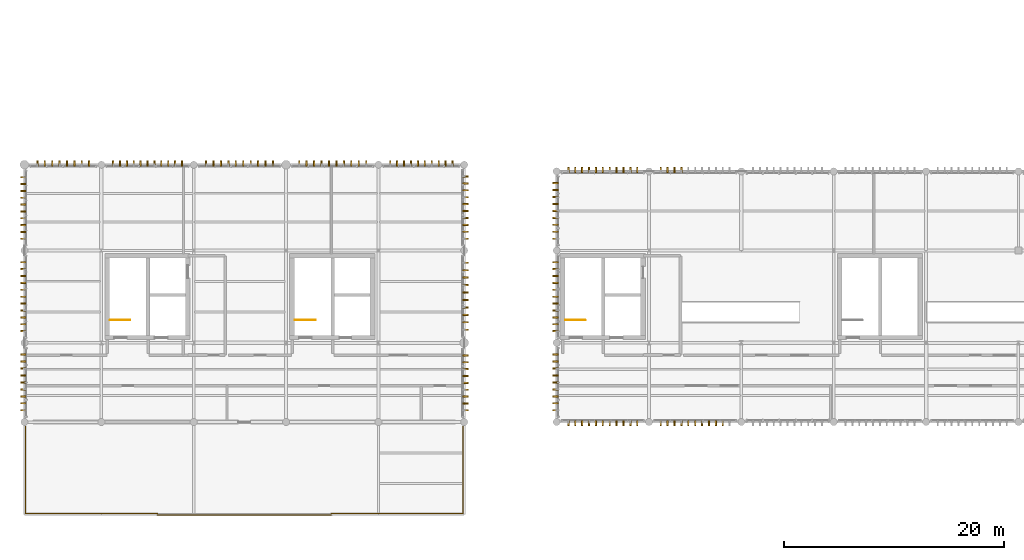
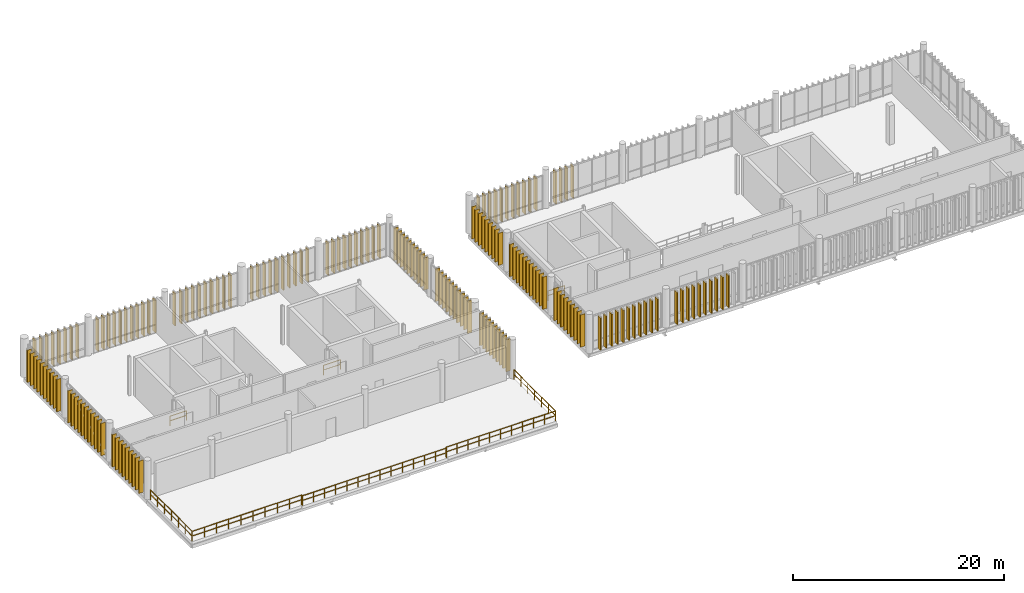
# One storey, part 62 of 66: 173 coverings, 8 railings.
"""IFC4 building model written with IfcOpenShell, lengths in metres."""

import ifcopenshell
import ifcopenshell.guid

model = None  # the IFC model being written
_history = None  # IfcOwnerHistory: only IFC2X3 demands one
_inside = {}  # id of a spatial element -> (the spatial element, [elements in it])
_under = {}  # id of a project, library or spatial element -> (it, [spatial elements below it])
_declared = {}  # id of a project -> (the project, [libraries it declares])
_typed = {}  # id of a type object -> (the type object, [elements of that type])
_made_of = {}  # id of a material, layer set ... -> (it, [elements and type objects made of it])


def new_model(schema):
    """Start an empty IFC model of exactly this schema.

    Asked for "IFC4X3", IfcOpenShell would pick the latest addendum, in which some entities
    have other attributes; the version numbers below select the first issue.
    IFC2X3 requires an IfcOwnerHistory on every rooted entity: one is made here for all.
    """
    global model, _history
    if schema == "IFC4X3":
        model = ifcopenshell.file(schema_version=(4, 3, 0, 0))
    else:
        model = ifcopenshell.file(schema=schema)
    _inside.clear()
    _under.clear()
    _declared.clear()
    _typed.clear()
    _made_of.clear()
    _history = None
    if model.schema == "IFC2X3":
        org = make("IfcOrganization", Name="unknown")
        user = make(
            "IfcPersonAndOrganization",
            ThePerson=make("IfcPerson", FamilyName="unknown"),
            TheOrganization=org,
        )
        app = make(
            "IfcApplication",
            ApplicationDeveloper=org,
            Version="unknown",
            ApplicationFullName="unknown",
            ApplicationIdentifier="unknown",
        )
        _history = make(
            "IfcOwnerHistory",
            OwningUser=user,
            OwningApplication=app,
            ChangeAction="ADDED",
            CreationDate=0,
        )
    return model


def make(cls, **values):
    """One entity of the class cls with the attributes given. An attribute that is None is left unset."""
    return model.create_entity(
        cls, **{name: value for name, value in values.items() if value is not None}
    )


def rooted(cls, **values):
    """An entity with a GlobalId (a new one), such as an element, a storey or a relation."""
    return make(cls, GlobalId=ifcopenshell.guid.new(), OwnerHistory=_history, **values)


def si_unit(unit_type, name, prefix=None):
    """IfcSIUnit, for example si_unit("LENGTHUNIT", "METRE", prefix="MILLI")."""
    return make("IfcSIUnit", UnitType=unit_type, Prefix=prefix, Name=name)


def assignment(units):
    """IfcUnitAssignment: the units of a project."""
    return None if units is None else make("IfcUnitAssignment", Units=units)


def point(xyz):
    """IfcCartesianPoint."""
    return None if xyz is None else make("IfcCartesianPoint", Coordinates=xyz)


def direction(xyz):
    """IfcDirection."""
    return None if xyz is None else make("IfcDirection", DirectionRatios=xyz)


def frame(location, z_axis=None, x_axis=None):
    """IfcAxis2Placement3D, a coordinate frame: its origin and axes. An axis left out is left unset."""
    return make(
        "IfcAxis2Placement3D",
        Location=point(location),
        Axis=direction(z_axis),
        RefDirection=direction(x_axis),
    )


def frame_2d(location, x_axis=None):
    """IfcAxis2Placement2D, a coordinate frame in the plane: its origin and x axis."""
    return make(
        "IfcAxis2Placement2D", Location=point(location), RefDirection=direction(x_axis)
    )


def origin_with_axes():
    """The frame at (0, 0, 0) with the z axis (0, 0, 1) and the x axis (1, 0, 0) written out."""
    return frame((0.0, 0.0, 0.0), z_axis=(0.0, 0.0, 1.0), x_axis=(1.0, 0.0, 0.0))


def origin_2d_with_axis():
    """The frame at (0, 0) in the plane with the x axis (1, 0) written out."""
    return frame_2d((0.0, 0.0), x_axis=(1.0, 0.0))


def place(relative_to, where):
    """IfcLocalPlacement: puts the frame where relative to a parent placement (None: the world)."""
    return make(
        "IfcLocalPlacement", PlacementRelTo=relative_to, RelativePlacement=where
    )


def context(
    kind, dimensions, precision=None, world=None, true_north=None, identifier=None
):
    """IfcGeometricRepresentationContext, for example the 3D "Model" context."""
    return make(
        "IfcGeometricRepresentationContext",
        ContextIdentifier=identifier,
        ContextType=kind,
        CoordinateSpaceDimension=dimensions,
        Precision=precision,
        WorldCoordinateSystem=world,
        TrueNorth=true_north,
    )


def subcontext(parent, identifier, kind, view, scale=None):
    """IfcGeometricRepresentationSubContext, for example "Body" below "Model"."""
    return make(
        "IfcGeometricRepresentationSubContext",
        ContextIdentifier=identifier,
        ContextType=kind,
        ParentContext=parent,
        TargetScale=scale,
        TargetView=view,
    )


def project(units=None, contexts=None):
    """IfcProject with its units and contexts."""
    return rooted(
        "IfcProject",
        Name="project",
        RepresentationContexts=contexts,
        UnitsInContext=assignment(units),
    )


def spatial(cls, under=None, at=None, **own):
    """A site, building, storey or space (cls), placed at a placement, below another one or the project."""
    s = rooted(cls, ObjectPlacement=at, **own)
    if under is not None:
        _under.setdefault(under.id(), (under, []))[1].append(s)
    return s


def profile(cls, at=None, kind="AREA", **sizes):
    """A parametric profile (cls). Its sizes go by their IFC names, for example OverallWidth=200.0."""
    return make(cls, ProfileType=kind, Position=at, **sizes)


def rectangle(**sizes):
    """IfcRectangleProfileDef."""
    return profile("IfcRectangleProfileDef", **sizes)


def circle(**sizes):
    """IfcCircleProfileDef."""
    return profile("IfcCircleProfileDef", **sizes)


def extrude(swept, where, along, depth):
    """IfcExtrudedAreaSolid: the profile swept, set in the frame where, extruded along a direction by depth."""
    return make(
        "IfcExtrudedAreaSolid",
        SweptArea=swept,
        Position=where,
        ExtrudedDirection=direction(along),
        Depth=depth,
    )


def shape(context_of_items, identifier, shape_type, items):
    """IfcShapeRepresentation: the items that make up one representation, for example the "Body"."""
    return make(
        "IfcShapeRepresentation",
        ContextOfItems=context_of_items,
        RepresentationIdentifier=identifier,
        RepresentationType=shape_type,
        Items=items,
    )


def material(Name=None, Category=None):
    """IfcMaterial."""
    return make("IfcMaterial", Name=Name, Category=Category)


def made_of(thing, what):
    """Note that an element or type object is made of a material, layer set ...; save() writes the relation."""
    if what is not None:
        _made_of.setdefault(what.id(), (what, []))[1].append(thing)
    return thing


def type_object(cls, material=None, **own):
    """A type object (cls), such as IfcWallType, which elements share."""
    return made_of(rooted(cls, **own), material)


def element(
    cls,
    number,
    at=None,
    inside=None,
    cuts=None,
    type_object=None,
    material=None,
    context=None,
    identifier="Body",
    shape_type=None,
    held_by="IfcProductDefinitionShape",
    body=None,
    shapes=None,
    **own,
):
    """One element of the class cls, such as IfcWall. Its Tag is "e" and its number.

    at: its placement. inside: the storey or other place that contains it. cuts: it is an
    opening in that element (IfcRelVoidsElement). A single representation is given by context,
    identifier, shape_type and body (its items); several are given by shapes. held_by: the class
    of the entity that holds the representations. save() writes the other relations.
    """
    e = rooted(cls, Tag="e%d" % number, ObjectPlacement=at, **own)
    if body is not None:
        shapes = [shape(context, identifier, shape_type, body)]
    if shapes is not None:
        e.Representation = make(held_by, Representations=shapes)
    if inside is not None:
        _inside.setdefault(inside.id(), (inside, []))[1].append(e)
    if cuts is not None:
        rooted(
            "IfcRelVoidsElement", RelatingBuildingElement=cuts, RelatedOpeningElement=e
        )
    if type_object is not None:
        _typed.setdefault(type_object.id(), (type_object, []))[1].append(e)
    return made_of(e, material)


def aggregate(whole, parts):
    """IfcRelAggregates: a whole, such as a stair, and the parts it consists of."""
    return rooted("IfcRelAggregates", RelatingObject=whole, RelatedObjects=parts)


def save(model, path):
    """Write the relations noted so far, then the file.

    IfcRelAggregates (storeys below a building ...), IfcRelContainedInSpatialStructure (elements
    in a storey), IfcRelDefinesByType, IfcRelAssociatesMaterial and IfcRelDeclares: one each for
    every whole, place, type object, material and project.
    """
    for whole, parts in _under.values():
        aggregate(whole, parts)
    for where, things in _inside.values():
        rooted(
            "IfcRelContainedInSpatialStructure",
            RelatedElements=things,
            RelatingStructure=where,
        )
    for kind, things in _typed.values():
        rooted("IfcRelDefinesByType", RelatedObjects=things, RelatingType=kind)
    for what, things in _made_of.values():
        rooted("IfcRelAssociatesMaterial", RelatedObjects=things, RelatingMaterial=what)
    for by, libraries in _declared.values():
        rooted("IfcRelDeclares", RelatingContext=by, RelatedDefinitions=libraries)
    model.write(path)


model = new_model("IFC4")

# Units and contexts
model_context = context("Model", 3, precision=1e-05, world=origin_with_axes(), true_north=direction((0.0, 1.0)))
body_context = subcontext(model_context, "Body", "Model", "MODEL_VIEW")
ifc_project = project(units=[si_unit("LENGTHUNIT", "METRE"), si_unit("AREAUNIT", "SQUARE_METRE"), si_unit("VOLUMEUNIT", "CUBIC_METRE"), si_unit("PLANEANGLEUNIT", "RADIAN"), si_unit("MASSUNIT", "GRAM", prefix="KILO"), si_unit("THERMODYNAMICTEMPERATUREUNIT", "KELVIN")], contexts=[model_context])

# Site, building, storey
site_placement = place(None, origin_with_axes())
site = spatial("IfcSite", under=ifc_project, at=site_placement, CompositionType="ELEMENT")
building_placement = place(site_placement, origin_with_axes())
building = spatial("IfcBuilding", under=site, at=building_placement, Name="Montbau Bow Law Courts", CompositionType="ELEMENT")
storey_placement = place(building_placement, frame((0.0, 0.0, 34.5), z_axis=(0.0, 0.0, 1.0), x_axis=(1.0, 0.0, 0.0)))
storey = spatial("IfcBuildingStorey", under=building, at=storey_placement, Name="L07", CompositionType="ELEMENT", Elevation=34.5)

# Coverings
ifc_material_1 = material(Name="Freeze-Thaw Glazed Warm Cream Ceramic Vertical Louvre", Category="masonry")
covering_type_1 = type_object("IfcCoveringType", Name="CV-LVR-CRM", PredefinedType="CLADDING", material=ifc_material_1)
for number, where, z_axis, x_axis, name in (
    (1, (56.267, 39.13, 34.5), (-1.0, 0.0, 0.0), (0.0, -1.0, 0.0), "CLV-L07-2091:cov_2136"),
    (2, (56.893, 39.13, 34.5), (-1.0, 0.0, 0.0), (0.0, -1.0, 0.0), "CLV-L07-2092:cov_2137"),
    (3, (57.52, 39.13, 34.5), (-1.0, 0.0, 0.0), (0.0, -1.0, 0.0), "CLV-L07-2093:cov_2138"),
    (4, (58.147, 39.13, 34.5), (-1.0, 0.0, 0.0), (0.0, -1.0, 0.0), "CLV-L07-2094:cov_2139"),
    (5, (58.773, 39.13, 34.5), (-1.0, 0.0, 0.0), (0.0, -1.0, 0.0), "CLV-L07-2095:cov_2140"),
    (6, (59.4, 39.13, 34.5), (-1.0, 0.0, 0.0), (0.0, -1.0, 0.0), "CLV-L07-2096:cov_2141"),
    (7, (60.027, 39.13, 34.5), (-1.0, 0.0, 0.0), (0.0, -1.0, 0.0), "CLV-L07-2097:cov_2142"),
    (8, (60.653, 39.13, 34.5), (-1.0, 0.0, 0.0), (0.0, -1.0, 0.0), "CLV-L07-2098:cov_2143"),
    (9, (61.28, 39.13, 34.5), (-1.0, 0.0, 0.0), (0.0, -1.0, 0.0), "CLV-L07-2099:cov_2144"),
    (10, (61.907, 39.13, 34.5), (-1.0, 0.0, 0.0), (0.0, -1.0, 0.0), "CLV-L07-2100:cov_2145"),
    (11, (62.533, 39.13, 34.5), (-1.0, 0.0, 0.0), (0.0, -1.0, 0.0), "CLV-L07-2101:cov_2146"),
    (12, (64.667, 39.13, 34.5), (-1.0, 0.0, 0.0), (0.0, -1.0, 0.0), "CLV-L07-2102:cov_2147"),
    (13, (65.293, 39.13, 34.5), (-1.0, 0.0, 0.0), (0.0, -1.0, 0.0), "CLV-L07-2103:cov_2148"),
    (14, (65.92, 39.13, 34.5), (-1.0, 0.0, 0.0), (0.0, -1.0, 0.0), "CLV-L07-2104:cov_2149"),
    (15, (66.547, 39.13, 34.5), (-1.0, 0.0, 0.0), (0.0, -1.0, 0.0), "CLV-L07-2105:cov_2150"),
    (16, (67.173, 39.13, 34.5), (-1.0, 0.0, 0.0), (0.0, -1.0, 0.0), "CLV-L07-2106:cov_2151"),
    (17, (67.8, 39.13, 34.5), (-1.0, 0.0, 0.0), (0.0, -1.0, 0.0), "CLV-L07-2107:cov_2152"),
    (18, (68.427, 39.13, 34.5), (-1.0, 0.0, 0.0), (0.0, -1.0, 0.0), "CLV-L07-2108:cov_2153"),
    (19, (69.053, 39.13, 34.5), (-1.0, 0.0, 0.0), (0.0, -1.0, 0.0), "CLV-L07-2109:cov_2154"),
    (20, (69.68, 39.13, 34.5), (-1.0, 0.0, 0.0), (0.0, -1.0, 0.0), "CLV-L07-2110:cov_2155"),
    (21, (70.307, 39.13, 34.5), (-1.0, 0.0, 0.0), (0.0, -1.0, 0.0), "CLV-L07-2111:cov_2156"),
    (22, (56.267, 61.67, 34.5), (1.0, 0.0, 0.0), (0.0, 1.0, 0.0), "CLV-L07-2156:cov_2201"),
    (23, (56.893, 61.67, 34.5), (1.0, 0.0, 0.0), (0.0, 1.0, 0.0), "CLV-L07-2157:cov_2202"),
    (24, (57.52, 61.67, 34.5), (1.0, 0.0, 0.0), (0.0, 1.0, 0.0), "CLV-L07-2158:cov_2203"),
    (25, (58.147, 61.67, 34.5), (1.0, 0.0, 0.0), (0.0, 1.0, 0.0), "CLV-L07-2159:cov_2204"),
    (26, (58.773, 61.67, 34.5), (1.0, 0.0, 0.0), (0.0, 1.0, 0.0), "CLV-L07-2160:cov_2205"),
    (27, (59.4, 61.67, 34.5), (1.0, 0.0, 0.0), (0.0, 1.0, 0.0), "CLV-L07-2161:cov_2206"),
    (28, (60.027, 61.67, 34.5), (1.0, 0.0, 0.0), (0.0, 1.0, 0.0), "CLV-L07-2162:cov_2207"),
    (29, (60.653, 61.67, 34.5), (1.0, 0.0, 0.0), (0.0, 1.0, 0.0), "CLV-L07-2163:cov_2208"),
    (30, (61.28, 61.67, 34.5), (1.0, 0.0, 0.0), (0.0, 1.0, 0.0), "CLV-L07-2164:cov_2209"),
    (31, (61.907, 61.67, 34.5), (1.0, 0.0, 0.0), (0.0, 1.0, 0.0), "CLV-L07-2165:cov_2210"),
    (32, (62.533, 61.67, 34.5), (1.0, 0.0, 0.0), (0.0, 1.0, 0.0), "CLV-L07-2166:cov_2211"),
    (33, (64.667, 61.67, 34.5), (1.0, 0.0, 0.0), (0.0, 1.0, 0.0), "CLV-L07-2167:cov_2212"),
    (34, (65.293, 61.67, 34.5), (1.0, 0.0, 0.0), (0.0, 1.0, 0.0), "CLV-L07-2168:cov_2213"),
    (35, (65.92, 61.67, 34.5), (1.0, 0.0, 0.0), (0.0, 1.0, 0.0), "CLV-L07-2169:cov_2214"),
    (36, (66.547, 61.67, 34.5), (1.0, 0.0, 0.0), (0.0, 1.0, 0.0), "CLV-L07-2170:cov_2215"),
    (37, (55.33, 40.072, 34.5), (0.0, 1.0, 0.0), (-1.0, 0.0, 0.0), "CLV-L07-2221:cov_2266"),
    (38, (55.33, 40.704, 34.5), (0.0, 1.0, 0.0), (-1.0, 0.0, 0.0), "CLV-L07-2222:cov_2267"),
    (39, (55.33, 41.336, 34.5), (0.0, 1.0, 0.0), (-1.0, 0.0, 0.0), "CLV-L07-2223:cov_2268"),
    (40, (55.33, 41.968, 34.5), (0.0, 1.0, 0.0), (-1.0, 0.0, 0.0), "CLV-L07-2224:cov_2269"),
    (41, (55.33, 42.6, 34.5), (0.0, 1.0, 0.0), (-1.0, 0.0, 0.0), "CLV-L07-2225:cov_2270"),
    (42, (55.33, 43.232, 34.5), (0.0, 1.0, 0.0), (-1.0, 0.0, 0.0), "CLV-L07-2226:cov_2271"),
    (43, (55.33, 43.864, 34.5), (0.0, 1.0, 0.0), (-1.0, 0.0, 0.0), "CLV-L07-2227:cov_2272"),
    (44, (55.33, 44.496, 34.5), (0.0, 1.0, 0.0), (-1.0, 0.0, 0.0), "CLV-L07-2228:cov_2273"),
    (45, (55.33, 45.128, 34.5), (0.0, 1.0, 0.0), (-1.0, 0.0, 0.0), "CLV-L07-2229:cov_2274"),
    (46, (55.33, 47.267, 34.5), (0.0, 1.0, 0.0), (-1.0, 0.0, 0.0), "CLV-L07-2230:cov_2275"),
    (47, (55.33, 47.893, 34.5), (0.0, 1.0, 0.0), (-1.0, 0.0, 0.0), "CLV-L07-2231:cov_2276"),
    (48, (55.33, 48.52, 34.5), (0.0, 1.0, 0.0), (-1.0, 0.0, 0.0), "CLV-L07-2232:cov_2277"),
    (49, (55.33, 49.147, 34.5), (0.0, 1.0, 0.0), (-1.0, 0.0, 0.0), "CLV-L07-2233:cov_2278"),
    (50, (55.33, 49.773, 34.5), (0.0, 1.0, 0.0), (-1.0, 0.0, 0.0), "CLV-L07-2234:cov_2279"),
    (51, (55.33, 50.4, 34.5), (0.0, 1.0, 0.0), (-1.0, 0.0, 0.0), "CLV-L07-2235:cov_2280"),
    (52, (55.33, 51.027, 34.5), (0.0, 1.0, 0.0), (-1.0, 0.0, 0.0), "CLV-L07-2236:cov_2281"),
    (53, (55.33, 51.653, 34.5), (0.0, 1.0, 0.0), (-1.0, 0.0, 0.0), "CLV-L07-2237:cov_2282"),
    (54, (55.33, 52.28, 34.5), (0.0, 1.0, 0.0), (-1.0, 0.0, 0.0), "CLV-L07-2238:cov_2283"),
    (55, (55.33, 52.907, 34.5), (0.0, 1.0, 0.0), (-1.0, 0.0, 0.0), "CLV-L07-2239:cov_2284"),
    (56, (55.33, 53.533, 34.5), (0.0, 1.0, 0.0), (-1.0, 0.0, 0.0), "CLV-L07-2240:cov_2285"),
    (57, (55.33, 55.672, 34.5), (0.0, 1.0, 0.0), (-1.0, 0.0, 0.0), "CLV-L07-2241:cov_2286"),
    (58, (55.33, 56.304, 34.5), (0.0, 1.0, 0.0), (-1.0, 0.0, 0.0), "CLV-L07-2242:cov_2287"),
    (59, (55.33, 56.936, 34.5), (0.0, 1.0, 0.0), (-1.0, 0.0, 0.0), "CLV-L07-2243:cov_2288"),
    (60, (55.33, 57.568, 34.5), (0.0, 1.0, 0.0), (-1.0, 0.0, 0.0), "CLV-L07-2244:cov_2289"),
    (61, (55.33, 58.2, 34.5), (0.0, 1.0, 0.0), (-1.0, 0.0, 0.0), "CLV-L07-2245:cov_2290"),
    (62, (55.33, 58.832, 34.5), (0.0, 1.0, 0.0), (-1.0, 0.0, 0.0), "CLV-L07-2246:cov_2291"),
    (63, (55.33, 59.464, 34.5), (0.0, 1.0, 0.0), (-1.0, 0.0, 0.0), "CLV-L07-2247:cov_2292"),
    (64, (55.33, 60.096, 34.5), (0.0, 1.0, 0.0), (-1.0, 0.0, 0.0), "CLV-L07-2248:cov_2293"),
    (65, (55.33, 60.728, 34.5), (0.0, 1.0, 0.0), (-1.0, 0.0, 0.0), "CLV-L07-2249:cov_2294"),
):
    element("IfcCovering", number, at=place(None, frame(where, z_axis=z_axis, x_axis=x_axis)), inside=storey, type_object=covering_type_1, Name=name, PredefinedType="CLADDING", context=body_context, shape_type="SweptSolid", body=[
        extrude(rectangle(XDim=0.48, YDim=3.74, at=frame_2d((0.24, 1.87), x_axis=(1.0, 0.0))), frame((0.0, 0.0, -0.06), z_axis=(0.0, 0.0, 1.0), x_axis=(1.0, 0.0, 0.0)), (0.0, 0.0, 1.0), 0.12),
    ])
ifc_material_2 = material(Name="Freeze-Thaw Glazed Terracotta-Red Ceramic Vertical Louvre", Category="masonry")
covering_type_2 = type_object("IfcCoveringType", Name="CV-LVR-RED", PredefinedType="CLADDING", material=ifc_material_2)
for number, where, z_axis, x_axis, name in (
    (66, (7.987, 62.27, 34.5), (1.0, 0.0, 0.0), (0.0, 1.0, 0.0), "CLV-L07-0976:cov_1021"),
    (67, (8.658, 62.27, 34.5), (1.0, 0.0, 0.0), (0.0, 1.0, 0.0), "CLV-L07-0977:cov_1022"),
    (68, (9.33, 62.27, 34.5), (1.0, 0.0, 0.0), (0.0, 1.0, 0.0), "CLV-L07-0978:cov_1023"),
    (69, (10.002, 62.27, 34.5), (1.0, 0.0, 0.0), (0.0, 1.0, 0.0), "CLV-L07-0979:cov_1024"),
    (70, (10.673, 62.27, 34.5), (1.0, 0.0, 0.0), (0.0, 1.0, 0.0), "CLV-L07-0980:cov_1025"),
    (71, (11.345, 62.27, 34.5), (1.0, 0.0, 0.0), (0.0, 1.0, 0.0), "CLV-L07-0981:cov_1026"),
    (72, (12.017, 62.27, 34.5), (1.0, 0.0, 0.0), (0.0, 1.0, 0.0), "CLV-L07-0982:cov_1027"),
    (73, (12.688, 62.27, 34.5), (1.0, 0.0, 0.0), (0.0, 1.0, 0.0), "CLV-L07-0983:cov_1028"),
    (74, (14.867, 62.27, 34.5), (1.0, 0.0, 0.0), (0.0, 1.0, 0.0), "CLV-L07-0984:cov_1029"),
    (75, (15.493, 62.27, 34.5), (1.0, 0.0, 0.0), (0.0, 1.0, 0.0), "CLV-L07-0985:cov_1030"),
    (76, (16.12, 62.27, 34.5), (1.0, 0.0, 0.0), (0.0, 1.0, 0.0), "CLV-L07-0986:cov_1031"),
    (77, (16.747, 62.27, 34.5), (1.0, 0.0, 0.0), (0.0, 1.0, 0.0), "CLV-L07-0987:cov_1032"),
    (78, (17.373, 62.27, 34.5), (1.0, 0.0, 0.0), (0.0, 1.0, 0.0), "CLV-L07-0988:cov_1033"),
    (79, (18.0, 62.27, 34.5), (1.0, 0.0, 0.0), (0.0, 1.0, 0.0), "CLV-L07-0989:cov_1034"),
    (80, (18.627, 62.27, 34.5), (1.0, 0.0, 0.0), (0.0, 1.0, 0.0), "CLV-L07-0990:cov_1035"),
    (81, (19.253, 62.27, 34.5), (1.0, 0.0, 0.0), (0.0, 1.0, 0.0), "CLV-L07-0991:cov_1036"),
    (82, (19.88, 62.27, 34.5), (1.0, 0.0, 0.0), (0.0, 1.0, 0.0), "CLV-L07-0992:cov_1037"),
    (83, (20.507, 62.27, 34.5), (1.0, 0.0, 0.0), (0.0, 1.0, 0.0), "CLV-L07-0993:cov_1038"),
    (84, (21.133, 62.27, 34.5), (1.0, 0.0, 0.0), (0.0, 1.0, 0.0), "CLV-L07-0994:cov_1039"),
    (85, (23.317, 62.27, 34.5), (1.0, 0.0, 0.0), (0.0, 1.0, 0.0), "CLV-L07-0995:cov_1040"),
    (86, (23.994, 62.27, 34.5), (1.0, 0.0, 0.0), (0.0, 1.0, 0.0), "CLV-L07-0996:cov_1041"),
    (87, (24.67, 62.27, 34.5), (1.0, 0.0, 0.0), (0.0, 1.0, 0.0), "CLV-L07-0997:cov_1042"),
    (88, (25.347, 62.27, 34.5), (1.0, 0.0, 0.0), (0.0, 1.0, 0.0), "CLV-L07-0998:cov_1043"),
    (89, (26.024, 62.27, 34.5), (1.0, 0.0, 0.0), (0.0, 1.0, 0.0), "CLV-L07-0999:cov_1044"),
    (90, (26.701, 62.27, 34.5), (1.0, 0.0, 0.0), (0.0, 1.0, 0.0), "CLV-L07-1000:cov_1045"),
    (91, (27.378, 62.27, 34.5), (1.0, 0.0, 0.0), (0.0, 1.0, 0.0), "CLV-L07-1001:cov_1046"),
    (92, (28.055, 62.27, 34.5), (1.0, 0.0, 0.0), (0.0, 1.0, 0.0), "CLV-L07-1002:cov_1047"),
    (93, (28.731, 62.27, 34.5), (1.0, 0.0, 0.0), (0.0, 1.0, 0.0), "CLV-L07-1003:cov_1048"),
    (94, (29.408, 62.27, 34.5), (1.0, 0.0, 0.0), (0.0, 1.0, 0.0), "CLV-L07-1004:cov_1049"),
    (95, (31.792, 62.27, 34.5), (1.0, 0.0, 0.0), (0.0, 1.0, 0.0), "CLV-L07-1005:cov_1050"),
    (96, (32.469, 62.27, 34.5), (1.0, 0.0, 0.0), (0.0, 1.0, 0.0), "CLV-L07-1006:cov_1051"),
    (97, (33.145, 62.27, 34.5), (1.0, 0.0, 0.0), (0.0, 1.0, 0.0), "CLV-L07-1007:cov_1052"),
    (98, (33.822, 62.27, 34.5), (1.0, 0.0, 0.0), (0.0, 1.0, 0.0), "CLV-L07-1008:cov_1053"),
    (99, (34.499, 62.27, 34.5), (1.0, 0.0, 0.0), (0.0, 1.0, 0.0), "CLV-L07-1009:cov_1054"),
    (100, (35.176, 62.27, 34.5), (1.0, 0.0, 0.0), (0.0, 1.0, 0.0), "CLV-L07-1010:cov_1055"),
    (101, (35.853, 62.27, 34.5), (1.0, 0.0, 0.0), (0.0, 1.0, 0.0), "CLV-L07-1011:cov_1056"),
    (102, (36.53, 62.27, 34.5), (1.0, 0.0, 0.0), (0.0, 1.0, 0.0), "CLV-L07-1012:cov_1057"),
    (103, (37.206, 62.27, 34.5), (1.0, 0.0, 0.0), (0.0, 1.0, 0.0), "CLV-L07-1013:cov_1058"),
    (104, (37.883, 62.27, 34.5), (1.0, 0.0, 0.0), (0.0, 1.0, 0.0), "CLV-L07-1014:cov_1059"),
    (105, (40.069, 62.27, 34.5), (1.0, 0.0, 0.0), (0.0, 1.0, 0.0), "CLV-L07-1015:cov_1060"),
    (106, (40.698, 62.27, 34.5), (1.0, 0.0, 0.0), (0.0, 1.0, 0.0), "CLV-L07-1016:cov_1061"),
    (107, (41.327, 62.27, 34.5), (1.0, 0.0, 0.0), (0.0, 1.0, 0.0), "CLV-L07-1017:cov_1062"),
    (108, (41.956, 62.27, 34.5), (1.0, 0.0, 0.0), (0.0, 1.0, 0.0), "CLV-L07-1018:cov_1063"),
    (109, (42.585, 62.27, 34.5), (1.0, 0.0, 0.0), (0.0, 1.0, 0.0), "CLV-L07-1019:cov_1064"),
    (110, (43.215, 62.27, 34.5), (1.0, 0.0, 0.0), (0.0, 1.0, 0.0), "CLV-L07-1020:cov_1065"),
    (111, (43.844, 62.27, 34.5), (1.0, 0.0, 0.0), (0.0, 1.0, 0.0), "CLV-L07-1021:cov_1066"),
    (112, (44.473, 62.27, 34.5), (1.0, 0.0, 0.0), (0.0, 1.0, 0.0), "CLV-L07-1022:cov_1067"),
    (113, (45.102, 62.27, 34.5), (1.0, 0.0, 0.0), (0.0, 1.0, 0.0), "CLV-L07-1023:cov_1068"),
    (114, (45.731, 62.27, 34.5), (1.0, 0.0, 0.0), (0.0, 1.0, 0.0), "CLV-L07-1024:cov_1069"),
    (115, (6.93, 40.072, 34.5), (0.0, 1.0, 0.0), (-1.0, 0.0, 0.0), "CLV-L07-1025:cov_1070"),
    (116, (6.93, 40.704, 34.5), (0.0, 1.0, 0.0), (-1.0, 0.0, 0.0), "CLV-L07-1026:cov_1071"),
    (117, (6.93, 41.336, 34.5), (0.0, 1.0, 0.0), (-1.0, 0.0, 0.0), "CLV-L07-1027:cov_1072"),
    (118, (6.93, 41.968, 34.5), (0.0, 1.0, 0.0), (-1.0, 0.0, 0.0), "CLV-L07-1028:cov_1073"),
    (119, (6.93, 42.6, 34.5), (0.0, 1.0, 0.0), (-1.0, 0.0, 0.0), "CLV-L07-1029:cov_1074"),
    (120, (6.93, 43.232, 34.5), (0.0, 1.0, 0.0), (-1.0, 0.0, 0.0), "CLV-L07-1030:cov_1075"),
    (121, (6.93, 43.864, 34.5), (0.0, 1.0, 0.0), (-1.0, 0.0, 0.0), "CLV-L07-1031:cov_1076"),
    (122, (6.93, 44.496, 34.5), (0.0, 1.0, 0.0), (-1.0, 0.0, 0.0), "CLV-L07-1032:cov_1077"),
    (123, (6.93, 45.128, 34.5), (0.0, 1.0, 0.0), (-1.0, 0.0, 0.0), "CLV-L07-1033:cov_1078"),
    (124, (6.93, 47.267, 34.5), (0.0, 1.0, 0.0), (-1.0, 0.0, 0.0), "CLV-L07-1034:cov_1079"),
    (125, (6.93, 47.893, 34.5), (0.0, 1.0, 0.0), (-1.0, 0.0, 0.0), "CLV-L07-1035:cov_1080"),
    (126, (6.93, 48.52, 34.5), (0.0, 1.0, 0.0), (-1.0, 0.0, 0.0), "CLV-L07-1036:cov_1081"),
    (127, (6.93, 49.147, 34.5), (0.0, 1.0, 0.0), (-1.0, 0.0, 0.0), "CLV-L07-1037:cov_1082"),
    (128, (6.93, 49.773, 34.5), (0.0, 1.0, 0.0), (-1.0, 0.0, 0.0), "CLV-L07-1038:cov_1083"),
    (129, (6.93, 50.4, 34.5), (0.0, 1.0, 0.0), (-1.0, 0.0, 0.0), "CLV-L07-1039:cov_1084"),
    (130, (6.93, 51.027, 34.5), (0.0, 1.0, 0.0), (-1.0, 0.0, 0.0), "CLV-L07-1040:cov_1085"),
    (131, (6.93, 51.653, 34.5), (0.0, 1.0, 0.0), (-1.0, 0.0, 0.0), "CLV-L07-1041:cov_1086"),
    (132, (6.93, 52.28, 34.5), (0.0, 1.0, 0.0), (-1.0, 0.0, 0.0), "CLV-L07-1042:cov_1087"),
    (133, (6.93, 52.907, 34.5), (0.0, 1.0, 0.0), (-1.0, 0.0, 0.0), "CLV-L07-1043:cov_1088"),
    (134, (6.93, 53.533, 34.5), (0.0, 1.0, 0.0), (-1.0, 0.0, 0.0), "CLV-L07-1044:cov_1089"),
    (135, (6.93, 55.662, 34.5), (0.0, 1.0, 0.0), (-1.0, 0.0, 0.0), "CLV-L07-1045:cov_1090"),
    (136, (6.93, 56.285, 34.5), (0.0, 1.0, 0.0), (-1.0, 0.0, 0.0), "CLV-L07-1046:cov_1091"),
    (137, (6.93, 56.907, 34.5), (0.0, 1.0, 0.0), (-1.0, 0.0, 0.0), "CLV-L07-1047:cov_1092"),
    (138, (6.93, 57.529, 34.5), (0.0, 1.0, 0.0), (-1.0, 0.0, 0.0), "CLV-L07-1048:cov_1093"),
    (139, (6.93, 58.151, 34.5), (0.0, 1.0, 0.0), (-1.0, 0.0, 0.0), "CLV-L07-1049:cov_1094"),
    (140, (6.93, 58.774, 34.5), (0.0, 1.0, 0.0), (-1.0, 0.0, 0.0), "CLV-L07-1050:cov_1095"),
    (141, (6.93, 59.396, 34.5), (0.0, 1.0, 0.0), (-1.0, 0.0, 0.0), "CLV-L07-1051:cov_1096"),
    (142, (6.93, 60.018, 34.5), (0.0, 1.0, 0.0), (-1.0, 0.0, 0.0), "CLV-L07-1052:cov_1097"),
    (143, (6.93, 60.64, 34.5), (0.0, 1.0, 0.0), (-1.0, 0.0, 0.0), "CLV-L07-1053:cov_1098"),
    (144, (6.93, 61.263, 34.5), (0.0, 1.0, 0.0), (-1.0, 0.0, 0.0), "CLV-L07-1054:cov_1099"),
    (145, (46.67, 40.065, 34.5), (0.0, -1.0, 0.0), (1.0, 0.0, 0.0), "CLV-L07-1055:cov_1100"),
    (146, (46.67, 40.689, 34.5), (0.0, -1.0, 0.0), (1.0, 0.0, 0.0), "CLV-L07-1056:cov_1101"),
    (147, (46.67, 41.314, 34.5), (0.0, -1.0, 0.0), (1.0, 0.0, 0.0), "CLV-L07-1057:cov_1102"),
    (148, (46.67, 41.938, 34.5), (0.0, -1.0, 0.0), (1.0, 0.0, 0.0), "CLV-L07-1058:cov_1103"),
    (149, (46.67, 42.563, 34.5), (0.0, -1.0, 0.0), (1.0, 0.0, 0.0), "CLV-L07-1059:cov_1104"),
    (150, (46.67, 43.187, 34.5), (0.0, -1.0, 0.0), (1.0, 0.0, 0.0), "CLV-L07-1060:cov_1105"),
    (151, (46.67, 43.812, 34.5), (0.0, -1.0, 0.0), (1.0, 0.0, 0.0), "CLV-L07-1061:cov_1106"),
    (152, (46.67, 44.436, 34.5), (0.0, -1.0, 0.0), (1.0, 0.0, 0.0), "CLV-L07-1062:cov_1107"),
    (153, (46.67, 45.061, 34.5), (0.0, -1.0, 0.0), (1.0, 0.0, 0.0), "CLV-L07-1063:cov_1108"),
    (154, (46.67, 47.392, 34.5), (0.0, -1.0, 0.0), (1.0, 0.0, 0.0), "CLV-L07-1064:cov_1109"),
    (155, (46.67, 48.069, 34.5), (0.0, -1.0, 0.0), (1.0, 0.0, 0.0), "CLV-L07-1065:cov_1110"),
    (156, (46.67, 48.745, 34.5), (0.0, -1.0, 0.0), (1.0, 0.0, 0.0), "CLV-L07-1066:cov_1111"),
    (157, (46.67, 49.422, 34.5), (0.0, -1.0, 0.0), (1.0, 0.0, 0.0), "CLV-L07-1067:cov_1112"),
    (158, (46.67, 50.099, 34.5), (0.0, -1.0, 0.0), (1.0, 0.0, 0.0), "CLV-L07-1068:cov_1113"),
    (159, (46.67, 50.776, 34.5), (0.0, -1.0, 0.0), (1.0, 0.0, 0.0), "CLV-L07-1069:cov_1114"),
    (160, (46.67, 51.453, 34.5), (0.0, -1.0, 0.0), (1.0, 0.0, 0.0), "CLV-L07-1070:cov_1115"),
    (161, (46.67, 52.13, 34.5), (0.0, -1.0, 0.0), (1.0, 0.0, 0.0), "CLV-L07-1071:cov_1116"),
    (162, (46.67, 52.806, 34.5), (0.0, -1.0, 0.0), (1.0, 0.0, 0.0), "CLV-L07-1072:cov_1117"),
    (163, (46.67, 53.483, 34.5), (0.0, -1.0, 0.0), (1.0, 0.0, 0.0), "CLV-L07-1073:cov_1118"),
    (164, (46.67, 55.669, 34.5), (0.0, -1.0, 0.0), (1.0, 0.0, 0.0), "CLV-L07-1074:cov_1119"),
    (165, (46.67, 56.298, 34.5), (0.0, -1.0, 0.0), (1.0, 0.0, 0.0), "CLV-L07-1075:cov_1120"),
    (166, (46.67, 56.927, 34.5), (0.0, -1.0, 0.0), (1.0, 0.0, 0.0), "CLV-L07-1076:cov_1121"),
    (167, (46.67, 57.556, 34.5), (0.0, -1.0, 0.0), (1.0, 0.0, 0.0), "CLV-L07-1077:cov_1122"),
    (168, (46.67, 58.185, 34.5), (0.0, -1.0, 0.0), (1.0, 0.0, 0.0), "CLV-L07-1078:cov_1123"),
    (169, (46.67, 58.815, 34.5), (0.0, -1.0, 0.0), (1.0, 0.0, 0.0), "CLV-L07-1079:cov_1124"),
    (170, (46.67, 59.444, 34.5), (0.0, -1.0, 0.0), (1.0, 0.0, 0.0), "CLV-L07-1080:cov_1125"),
    (171, (46.67, 60.073, 34.5), (0.0, -1.0, 0.0), (1.0, 0.0, 0.0), "CLV-L07-1081:cov_1126"),
    (172, (46.67, 60.702, 34.5), (0.0, -1.0, 0.0), (1.0, 0.0, 0.0), "CLV-L07-1082:cov_1127"),
    (173, (46.67, 61.331, 34.5), (0.0, -1.0, 0.0), (1.0, 0.0, 0.0), "CLV-L07-1083:cov_1128"),
):
    element("IfcCovering", number, at=place(None, frame(where, z_axis=z_axis, x_axis=x_axis)), inside=storey, type_object=covering_type_2, Name=name, PredefinedType="CLADDING", context=body_context, shape_type="SweptSolid", body=[
        extrude(rectangle(XDim=0.48, YDim=3.74, at=frame_2d((0.24, 1.87), x_axis=(1.0, 0.0))), frame((0.0, 0.0, -0.06), z_axis=(0.0, 0.0, 1.0), x_axis=(1.0, 0.0, 0.0)), (0.0, 0.0, 1.0), 0.12),
    ])

# Railings
ifc_material_3 = material(Name="Architectural Bronze-Finished Steel Stair Guard", Category="steel")
railing_type_1 = type_object("IfcRailingType", Name="RL-GRD-1100", PredefinedType="GUARDRAIL", material=ifc_material_3)
railing_1_placement = place(None, origin_with_axes())
element("IfcRailing", 174, at=railing_1_placement, inside=storey, type_object=railing_type_1, Name="SG-ST-P1-L06-TOP:rlg_0060", PredefinedType="GUARDRAIL", context=body_context, shape_type="SweptSolid", body=[
    extrude(circle(Radius=0.0225, at=origin_2d_with_axis()), frame((14.605, 48.26, 35.602), z_axis=(1.0, 0.0, 0.0), x_axis=(0.0, 0.0, 1.0)), (0.0, 0.0, 1.0), 1.805),
    extrude(circle(Radius=0.02025, at=origin_2d_with_axis()), frame((14.605, 48.26, 35.072), z_axis=(1.0, 0.0, 0.0), x_axis=(0.0, 0.0, 1.0)), (0.0, 0.0, 1.0), 1.805),
    extrude(circle(Radius=0.02025, at=origin_2d_with_axis()), frame((14.605, 48.26, 34.5), z_axis=(0.0, 0.0, 1.0), x_axis=(1.0, 0.0, 0.0)), (0.0, 0.0, 1.0), 1.07525),
    extrude(circle(Radius=0.02025, at=origin_2d_with_axis()), frame((16.41, 48.26, 34.5), z_axis=(0.0, 0.0, 1.0), x_axis=(1.0, 0.0, 0.0)), (0.0, 0.0, 1.0), 1.07525),
])
railing_2_placement = place(None, origin_with_axes())
element("IfcRailing", 175, at=railing_2_placement, inside=storey, type_object=railing_type_1, Name="SG-ST-J1-L06-TOP:rlg_0092", PredefinedType="GUARDRAIL", context=body_context, shape_type="SweptSolid", body=[
    extrude(circle(Radius=0.0225, at=origin_2d_with_axis()), frame((31.405, 48.26, 35.602), z_axis=(1.0, 0.0, 0.0), x_axis=(0.0, 0.0, 1.0)), (0.0, 0.0, 1.0), 1.885),
    extrude(circle(Radius=0.02025, at=origin_2d_with_axis()), frame((31.405, 48.26, 35.072), z_axis=(1.0, 0.0, 0.0), x_axis=(0.0, 0.0, 1.0)), (0.0, 0.0, 1.0), 1.885),
    extrude(circle(Radius=0.02025, at=origin_2d_with_axis()), frame((31.405, 48.26, 34.5), z_axis=(0.0, 0.0, 1.0), x_axis=(1.0, 0.0, 0.0)), (0.0, 0.0, 1.0), 1.07525),
    extrude(circle(Radius=0.02025, at=origin_2d_with_axis()), frame((33.29, 48.26, 34.5), z_axis=(0.0, 0.0, 1.0), x_axis=(1.0, 0.0, 0.0)), (0.0, 0.0, 1.0), 1.07525),
])
railing_3_placement = place(None, origin_with_axes())
element("IfcRailing", 176, at=railing_3_placement, inside=storey, type_object=railing_type_1, Name="SG-ST-P4-L06-TOP:rlg_0124", PredefinedType="GUARDRAIL", context=body_context, shape_type="SweptSolid", body=[
    extrude(circle(Radius=0.0225, at=origin_2d_with_axis()), frame((56.005, 48.26, 35.602), z_axis=(1.0, 0.0, 0.0), x_axis=(0.0, 0.0, 1.0)), (0.0, 0.0, 1.0), 1.805),
    extrude(circle(Radius=0.02025, at=origin_2d_with_axis()), frame((56.005, 48.26, 35.072), z_axis=(1.0, 0.0, 0.0), x_axis=(0.0, 0.0, 1.0)), (0.0, 0.0, 1.0), 1.805),
    extrude(circle(Radius=0.02025, at=origin_2d_with_axis()), frame((56.005, 48.26, 34.5), z_axis=(0.0, 0.0, 1.0), x_axis=(1.0, 0.0, 0.0)), (0.0, 0.0, 1.0), 1.07525),
    extrude(circle(Radius=0.02025, at=origin_2d_with_axis()), frame((57.81, 48.26, 34.5), z_axis=(0.0, 0.0, 1.0), x_axis=(1.0, 0.0, 0.0)), (0.0, 0.0, 1.0), 1.07525),
])
ifc_material_4 = material(Name="Brushed Stainless Steel AISI 316L Guardrail", Category="steel")
railing_type_2 = type_object("IfcRailingType", Name="RL-GRD-1120", PredefinedType="GUARDRAIL", material=ifc_material_4)
railing_4_placement = place(None, origin_with_axes())
element("IfcRailing", 177, at=railing_4_placement, inside=storey, type_object=railing_type_2, Name="GRD-TER-L07-V2-1:rlg_0020", PredefinedType="GUARDRAIL", context=body_context, shape_type="SweptSolid", body=[
    extrude(circle(Radius=0.025, at=origin_2d_with_axis()), frame((6.9, 30.7, 35.622), z_axis=(0.0, 1.0, 0.0), x_axis=(0.0, 0.0, 1.0)), (0.0, 0.0, 1.0), 7.88),
    extrude(circle(Radius=0.022500000000000003, at=origin_2d_with_axis()), frame((6.9, 30.7, 35.0824), z_axis=(0.0, 1.0, 0.0), x_axis=(0.0, 0.0, 1.0)), (0.0, 0.0, 1.0), 7.88),
    extrude(circle(Radius=0.022500000000000003, at=origin_2d_with_axis()), frame((6.9, 30.7, 34.5), z_axis=(0.0, 0.0, 1.0), x_axis=(1.0, 0.0, 0.0)), (0.0, 0.0, 1.0), 1.0925),
    extrude(circle(Radius=0.022500000000000003, at=origin_2d_with_axis()), frame((6.9, 32.013333, 34.5), z_axis=(0.0, 0.0, 1.0), x_axis=(1.0, 0.0, 0.0)), (0.0, 0.0, 1.0), 1.0925),
    extrude(circle(Radius=0.022500000000000003, at=origin_2d_with_axis()), frame((6.9, 33.326667, 34.5), z_axis=(0.0, 0.0, 1.0), x_axis=(1.0, 0.0, 0.0)), (0.0, 0.0, 1.0), 1.0925),
    extrude(circle(Radius=0.022500000000000003, at=origin_2d_with_axis()), frame((6.9, 34.64, 34.5), z_axis=(0.0, 0.0, 1.0), x_axis=(1.0, 0.0, 0.0)), (0.0, 0.0, 1.0), 1.0925),
    extrude(circle(Radius=0.022500000000000003, at=origin_2d_with_axis()), frame((6.9, 35.953333, 34.5), z_axis=(0.0, 0.0, 1.0), x_axis=(1.0, 0.0, 0.0)), (0.0, 0.0, 1.0), 1.0925),
    extrude(circle(Radius=0.022500000000000003, at=origin_2d_with_axis()), frame((6.9, 37.266667, 34.5), z_axis=(0.0, 0.0, 1.0), x_axis=(1.0, 0.0, 0.0)), (0.0, 0.0, 1.0), 1.0925),
    extrude(circle(Radius=0.022500000000000003, at=origin_2d_with_axis()), frame((6.9, 38.58, 34.5), z_axis=(0.0, 0.0, 1.0), x_axis=(1.0, 0.0, 0.0)), (0.0, 0.0, 1.0), 1.0925),
])
railing_5_placement = place(None, origin_with_axes())
element("IfcRailing", 178, at=railing_5_placement, inside=storey, type_object=railing_type_2, Name="GRD-TER-L07-V2-3:rlg_0021", PredefinedType="GUARDRAIL", context=body_context, shape_type="SweptSolid", body=[
    extrude(circle(Radius=0.025, at=origin_2d_with_axis()), frame((46.7, 38.58, 35.622), z_axis=(0.0, -1.0, 0.0), x_axis=(0.0, 0.0, 1.0)), (0.0, 0.0, 1.0), 7.88),
    extrude(circle(Radius=0.022500000000000003, at=origin_2d_with_axis()), frame((46.7, 38.58, 35.0824), z_axis=(0.0, -1.0, 0.0), x_axis=(0.0, 0.0, 1.0)), (0.0, 0.0, 1.0), 7.88),
    extrude(circle(Radius=0.022500000000000003, at=origin_2d_with_axis()), frame((46.7, 38.58, 34.5), z_axis=(0.0, 0.0, 1.0), x_axis=(1.0, 0.0, 0.0)), (0.0, 0.0, 1.0), 1.0925),
    extrude(circle(Radius=0.022500000000000003, at=origin_2d_with_axis()), frame((46.7, 37.266667, 34.5), z_axis=(0.0, 0.0, 1.0), x_axis=(1.0, 0.0, 0.0)), (0.0, 0.0, 1.0), 1.0925),
    extrude(circle(Radius=0.022500000000000003, at=origin_2d_with_axis()), frame((46.7, 35.953333, 34.5), z_axis=(0.0, 0.0, 1.0), x_axis=(1.0, 0.0, 0.0)), (0.0, 0.0, 1.0), 1.0925),
    extrude(circle(Radius=0.022500000000000003, at=origin_2d_with_axis()), frame((46.7, 34.64, 34.5), z_axis=(0.0, 0.0, 1.0), x_axis=(1.0, 0.0, 0.0)), (0.0, 0.0, 1.0), 1.0925),
    extrude(circle(Radius=0.022500000000000003, at=origin_2d_with_axis()), frame((46.7, 33.326667, 34.5), z_axis=(0.0, 0.0, 1.0), x_axis=(1.0, 0.0, 0.0)), (0.0, 0.0, 1.0), 1.0925),
    extrude(circle(Radius=0.022500000000000003, at=origin_2d_with_axis()), frame((46.7, 32.013333, 34.5), z_axis=(0.0, 0.0, 1.0), x_axis=(1.0, 0.0, 0.0)), (0.0, 0.0, 1.0), 1.0925),
    extrude(circle(Radius=0.022500000000000003, at=origin_2d_with_axis()), frame((46.7, 30.7, 34.5), z_axis=(0.0, 0.0, 1.0), x_axis=(1.0, 0.0, 0.0)), (0.0, 0.0, 1.0), 1.0925),
])
railing_6_placement = place(None, origin_with_axes())
element("IfcRailing", 179, at=railing_6_placement, inside=storey, type_object=railing_type_2, Name="GRD-TER-L07-V2-4:rlg_0022", PredefinedType="GUARDRAIL", context=body_context, shape_type="SweptSolid", body=[
    extrude(circle(Radius=0.025, at=origin_2d_with_axis()), frame((46.7, 30.7, 35.622), z_axis=(-1.0, 0.0, 0.0), x_axis=(0.0, 0.0, 1.0)), (0.0, 0.0, 1.0), 12.0),
    extrude(circle(Radius=0.022500000000000003, at=origin_2d_with_axis()), frame((46.7, 30.7, 35.0824), z_axis=(-1.0, 0.0, 0.0), x_axis=(0.0, 0.0, 1.0)), (0.0, 0.0, 1.0), 12.0),
    extrude(circle(Radius=0.022500000000000003, at=origin_2d_with_axis()), frame((46.7, 30.7, 34.5), z_axis=(0.0, 0.0, 1.0), x_axis=(1.0, 0.0, 0.0)), (0.0, 0.0, 1.0), 1.0925),
    extrude(circle(Radius=0.022500000000000003, at=origin_2d_with_axis()), frame((45.5, 30.7, 34.5), z_axis=(0.0, 0.0, 1.0), x_axis=(1.0, 0.0, 0.0)), (0.0, 0.0, 1.0), 1.0925),
    extrude(circle(Radius=0.022500000000000003, at=origin_2d_with_axis()), frame((44.3, 30.7, 34.5), z_axis=(0.0, 0.0, 1.0), x_axis=(1.0, 0.0, 0.0)), (0.0, 0.0, 1.0), 1.0925),
    extrude(circle(Radius=0.022500000000000003, at=origin_2d_with_axis()), frame((43.1, 30.7, 34.5), z_axis=(0.0, 0.0, 1.0), x_axis=(1.0, 0.0, 0.0)), (0.0, 0.0, 1.0), 1.0925),
    extrude(circle(Radius=0.022500000000000003, at=origin_2d_with_axis()), frame((41.9, 30.7, 34.5), z_axis=(0.0, 0.0, 1.0), x_axis=(1.0, 0.0, 0.0)), (0.0, 0.0, 1.0), 1.0925),
    extrude(circle(Radius=0.022500000000000003, at=origin_2d_with_axis()), frame((40.7, 30.7, 34.5), z_axis=(0.0, 0.0, 1.0), x_axis=(1.0, 0.0, 0.0)), (0.0, 0.0, 1.0), 1.0925),
    extrude(circle(Radius=0.022500000000000003, at=origin_2d_with_axis()), frame((39.5, 30.7, 34.5), z_axis=(0.0, 0.0, 1.0), x_axis=(1.0, 0.0, 0.0)), (0.0, 0.0, 1.0), 1.0925),
    extrude(circle(Radius=0.022500000000000003, at=origin_2d_with_axis()), frame((38.3, 30.7, 34.5), z_axis=(0.0, 0.0, 1.0), x_axis=(1.0, 0.0, 0.0)), (0.0, 0.0, 1.0), 1.0925),
    extrude(circle(Radius=0.022500000000000003, at=origin_2d_with_axis()), frame((37.1, 30.7, 34.5), z_axis=(0.0, 0.0, 1.0), x_axis=(1.0, 0.0, 0.0)), (0.0, 0.0, 1.0), 1.0925),
    extrude(circle(Radius=0.022500000000000003, at=origin_2d_with_axis()), frame((35.9, 30.7, 34.5), z_axis=(0.0, 0.0, 1.0), x_axis=(1.0, 0.0, 0.0)), (0.0, 0.0, 1.0), 1.0925),
    extrude(circle(Radius=0.022500000000000003, at=origin_2d_with_axis()), frame((34.7, 30.7, 34.5), z_axis=(0.0, 0.0, 1.0), x_axis=(1.0, 0.0, 0.0)), (0.0, 0.0, 1.0), 1.0925),
])
railing_7_placement = place(None, origin_with_axes())
element("IfcRailing", 180, at=railing_7_placement, inside=storey, type_object=railing_type_2, Name="GRD-TER-L07-V2-6:rlg_0023", PredefinedType="GUARDRAIL", context=body_context, shape_type="SweptSolid", body=[
    extrude(circle(Radius=0.025, at=origin_2d_with_axis()), frame((34.7, 30.56, 35.622), z_axis=(-1.0, 0.0, 0.0), x_axis=(0.0, 0.0, 1.0)), (0.0, 0.0, 1.0), 15.8),
    extrude(circle(Radius=0.022500000000000003, at=origin_2d_with_axis()), frame((34.7, 30.56, 35.0824), z_axis=(-1.0, 0.0, 0.0), x_axis=(0.0, 0.0, 1.0)), (0.0, 0.0, 1.0), 15.8),
    extrude(circle(Radius=0.022500000000000003, at=origin_2d_with_axis()), frame((34.7, 30.56, 34.5), z_axis=(0.0, 0.0, 1.0), x_axis=(1.0, 0.0, 0.0)), (0.0, 0.0, 1.0), 1.0925),
    extrude(circle(Radius=0.022500000000000003, at=origin_2d_with_axis()), frame((33.484615, 30.56, 34.5), z_axis=(0.0, 0.0, 1.0), x_axis=(1.0, 0.0, 0.0)), (0.0, 0.0, 1.0), 1.0925),
    extrude(circle(Radius=0.022500000000000003, at=origin_2d_with_axis()), frame((32.269231, 30.56, 34.5), z_axis=(0.0, 0.0, 1.0), x_axis=(1.0, 0.0, 0.0)), (0.0, 0.0, 1.0), 1.0925),
    extrude(circle(Radius=0.022500000000000003, at=origin_2d_with_axis()), frame((31.053846, 30.56, 34.5), z_axis=(0.0, 0.0, 1.0), x_axis=(1.0, 0.0, 0.0)), (0.0, 0.0, 1.0), 1.0925),
    extrude(circle(Radius=0.022500000000000003, at=origin_2d_with_axis()), frame((29.838462, 30.56, 34.5), z_axis=(0.0, 0.0, 1.0), x_axis=(1.0, 0.0, 0.0)), (0.0, 0.0, 1.0), 1.0925),
    extrude(circle(Radius=0.022500000000000003, at=origin_2d_with_axis()), frame((28.623077, 30.56, 34.5), z_axis=(0.0, 0.0, 1.0), x_axis=(1.0, 0.0, 0.0)), (0.0, 0.0, 1.0), 1.0925),
    extrude(circle(Radius=0.022500000000000003, at=origin_2d_with_axis()), frame((27.407692, 30.56, 34.5), z_axis=(0.0, 0.0, 1.0), x_axis=(1.0, 0.0, 0.0)), (0.0, 0.0, 1.0), 1.0925),
    extrude(circle(Radius=0.022500000000000003, at=origin_2d_with_axis()), frame((26.192308, 30.56, 34.5), z_axis=(0.0, 0.0, 1.0), x_axis=(1.0, 0.0, 0.0)), (0.0, 0.0, 1.0), 1.0925),
    extrude(circle(Radius=0.022500000000000003, at=origin_2d_with_axis()), frame((24.976923, 30.56, 34.5), z_axis=(0.0, 0.0, 1.0), x_axis=(1.0, 0.0, 0.0)), (0.0, 0.0, 1.0), 1.0925),
    extrude(circle(Radius=0.022500000000000003, at=origin_2d_with_axis()), frame((23.761538, 30.56, 34.5), z_axis=(0.0, 0.0, 1.0), x_axis=(1.0, 0.0, 0.0)), (0.0, 0.0, 1.0), 1.0925),
    extrude(circle(Radius=0.022500000000000003, at=origin_2d_with_axis()), frame((22.546154, 30.56, 34.5), z_axis=(0.0, 0.0, 1.0), x_axis=(1.0, 0.0, 0.0)), (0.0, 0.0, 1.0), 1.0925),
    extrude(circle(Radius=0.022500000000000003, at=origin_2d_with_axis()), frame((21.330769, 30.56, 34.5), z_axis=(0.0, 0.0, 1.0), x_axis=(1.0, 0.0, 0.0)), (0.0, 0.0, 1.0), 1.0925),
    extrude(circle(Radius=0.022500000000000003, at=origin_2d_with_axis()), frame((20.115385, 30.56, 34.5), z_axis=(0.0, 0.0, 1.0), x_axis=(1.0, 0.0, 0.0)), (0.0, 0.0, 1.0), 1.0925),
    extrude(circle(Radius=0.022500000000000003, at=origin_2d_with_axis()), frame((18.9, 30.56, 34.5), z_axis=(0.0, 0.0, 1.0), x_axis=(1.0, 0.0, 0.0)), (0.0, 0.0, 1.0), 1.0925),
])
railing_8_placement = place(None, origin_with_axes())
element("IfcRailing", 181, at=railing_8_placement, inside=storey, type_object=railing_type_2, Name="GRD-TER-L07-V2-8:rlg_0024", PredefinedType="GUARDRAIL", context=body_context, shape_type="SweptSolid", body=[
    extrude(circle(Radius=0.025, at=origin_2d_with_axis()), frame((18.9, 30.7, 35.622), z_axis=(-1.0, 0.0, 0.0), x_axis=(0.0, 0.0, 1.0)), (0.0, 0.0, 1.0), 12.0),
    extrude(circle(Radius=0.022500000000000003, at=origin_2d_with_axis()), frame((18.9, 30.7, 35.0824), z_axis=(-1.0, 0.0, 0.0), x_axis=(0.0, 0.0, 1.0)), (0.0, 0.0, 1.0), 12.0),
    extrude(circle(Radius=0.022500000000000003, at=origin_2d_with_axis()), frame((18.9, 30.7, 34.5), z_axis=(0.0, 0.0, 1.0), x_axis=(1.0, 0.0, 0.0)), (0.0, 0.0, 1.0), 1.0925),
    extrude(circle(Radius=0.022500000000000003, at=origin_2d_with_axis()), frame((17.566667, 30.7, 34.5), z_axis=(0.0, 0.0, 1.0), x_axis=(1.0, 0.0, 0.0)), (0.0, 0.0, 1.0), 1.0925),
    extrude(circle(Radius=0.022500000000000003, at=origin_2d_with_axis()), frame((16.233333, 30.7, 34.5), z_axis=(0.0, 0.0, 1.0), x_axis=(1.0, 0.0, 0.0)), (0.0, 0.0, 1.0), 1.0925),
    extrude(circle(Radius=0.022500000000000003, at=origin_2d_with_axis()), frame((14.9, 30.7, 34.5), z_axis=(0.0, 0.0, 1.0), x_axis=(1.0, 0.0, 0.0)), (0.0, 0.0, 1.0), 1.0925),
    extrude(circle(Radius=0.022500000000000003, at=origin_2d_with_axis()), frame((13.566667, 30.7, 34.5), z_axis=(0.0, 0.0, 1.0), x_axis=(1.0, 0.0, 0.0)), (0.0, 0.0, 1.0), 1.0925),
    extrude(circle(Radius=0.022500000000000003, at=origin_2d_with_axis()), frame((12.233333, 30.7, 34.5), z_axis=(0.0, 0.0, 1.0), x_axis=(1.0, 0.0, 0.0)), (0.0, 0.0, 1.0), 1.0925),
    extrude(circle(Radius=0.022500000000000003, at=origin_2d_with_axis()), frame((10.9, 30.7, 34.5), z_axis=(0.0, 0.0, 1.0), x_axis=(1.0, 0.0, 0.0)), (0.0, 0.0, 1.0), 1.0925),
    extrude(circle(Radius=0.022500000000000003, at=origin_2d_with_axis()), frame((9.566667, 30.7, 34.5), z_axis=(0.0, 0.0, 1.0), x_axis=(1.0, 0.0, 0.0)), (0.0, 0.0, 1.0), 1.0925),
    extrude(circle(Radius=0.022500000000000003, at=origin_2d_with_axis()), frame((8.233333, 30.7, 34.5), z_axis=(0.0, 0.0, 1.0), x_axis=(1.0, 0.0, 0.0)), (0.0, 0.0, 1.0), 1.0925),
    extrude(circle(Radius=0.022500000000000003, at=origin_2d_with_axis()), frame((6.9, 30.7, 34.5), z_axis=(0.0, 0.0, 1.0), x_axis=(1.0, 0.0, 0.0)), (0.0, 0.0, 1.0), 1.0925),
])

save(model, "model.ifc")
